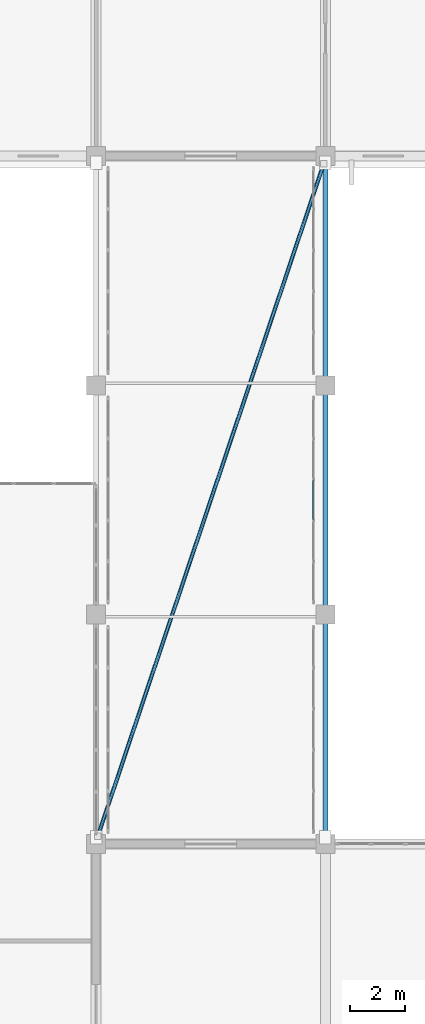
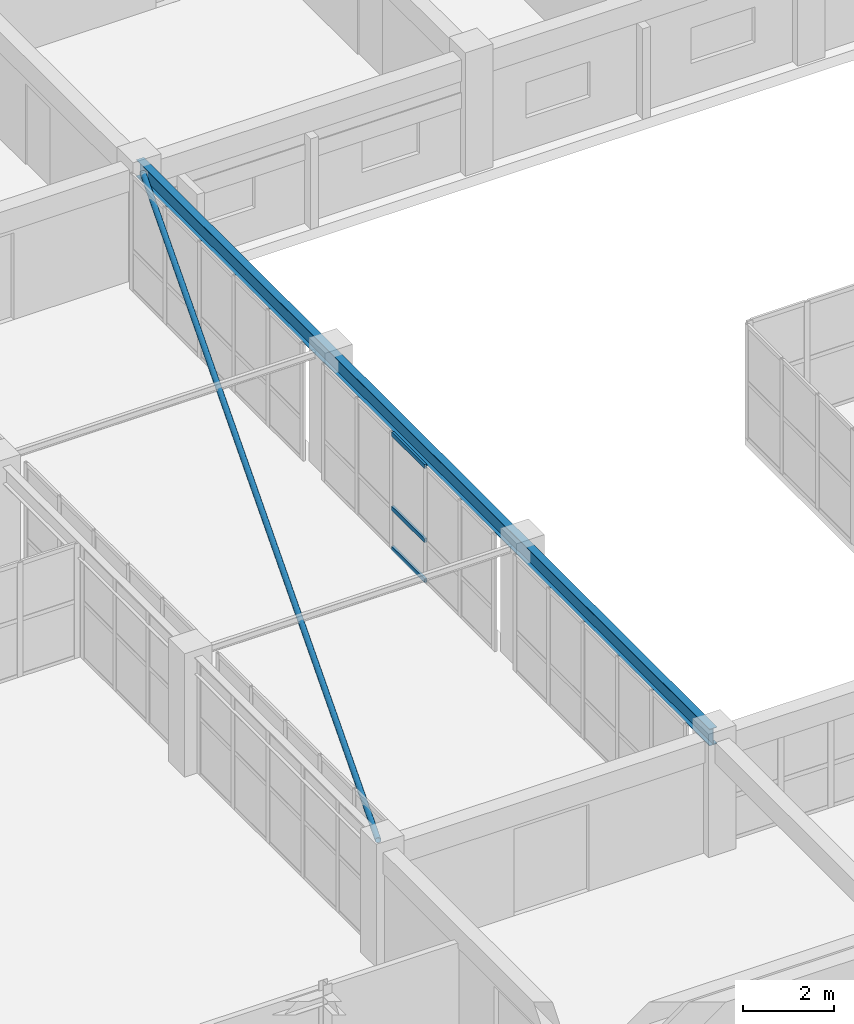
# One storey, part 70 of 148: 4 members, 1 beam, 1 element without a shape of its own.
"""IFC4 building model written with IfcOpenShell, lengths in metres."""

from ifc_helpers import new_model, si_unit, direction, frame, origin, origin_2d, place, context, subcontext, project, spatial, hollow_rectangle, hollow_circle, i_section, extrude, material, layer, layer_set, material_profile, profile_set, type_object, element, aggregate, save


model = new_model("IFC4")

# Units and contexts
model_context = context("Model", 3, precision=1e-05, world=origin(), true_north=direction((0.0, 1.0)))
body_context = subcontext(model_context, "Body", "Model", "MODEL_VIEW")
ifc_project = project(units=[si_unit("LENGTHUNIT", "METRE"), si_unit("AREAUNIT", "SQUARE_METRE"), si_unit("VOLUMEUNIT", "CUBIC_METRE"), si_unit("PLANEANGLEUNIT", "RADIAN"), si_unit("MASSUNIT", "GRAM", prefix="KILO")], contexts=[model_context])

# Site, building, storey
site_placement = place(None, origin())
site = spatial("IfcSite", under=ifc_project, at=site_placement, CompositionType="ELEMENT")
building_placement = place(site_placement, origin())
building = spatial("IfcBuilding", under=site, at=building_placement, Name="Trelvath General Hospital", CompositionType="ELEMENT")
storey_placement = place(building_placement, frame((0.0, 0.0, 12.89990234375)))
storey = spatial("IfcBuildingStorey", under=building, at=storey_placement, Name="L03", CompositionType="ELEMENT", Elevation=12.89990234375)

# Member
ifc_material_1 = material(Name="Steel S355", Category="steel")
ifc_material_profile_1 = material_profile(ifc_material_1, hollow_circle(Radius=0.06982421875, WallThickness=0.00634765625, at=origin_2d()), Name="CHS139.7x6.3")
ifc_profile_set_1 = profile_set([ifc_material_profile_1], Name="Steel S355")
member_type_1 = type_object("IfcMemberType", Name="BridgeBrace CHS139", PredefinedType="BRACE", material=ifc_profile_set_1)
member_1_placement = place(storey_placement, frame((75.659912109375, 67.47998046875, 2.885009765625), z_axis=(0.318534479637, 0.947911275006, 0.0), x_axis=(-0.947911275006, 0.318534479637, 0.0)))
element("IfcMember", 1, at=member_1_placement, inside=storey, type_object=member_type_1, Name="Bridge Lateral Brace BRG-N-C L04", PredefinedType="BRACE", context=body_context, shape_type="SweptSolid", body=[
    extrude(hollow_circle(Radius=0.06982421875, WallThickness=0.00634765625, at=origin_2d()), origin(), (0.0, 0.0, 1.0), 25.994140625),
])

# Beam
ifc_material_2 = material(Name="Steel S355", Category="steel")
ifc_material_profile_2 = material_profile(ifc_material_2, i_section(OverallWidth=0.18994140625, OverallDepth=0.449951171875, WebThickness=0.009521484375, FlangeThickness=0.0146484375, at=origin_2d()), Name="IPE450")
ifc_profile_set_2 = profile_set([ifc_material_profile_2], Name="Steel S355")
beam_type = type_object("IfcBeamType", Name="BridgeGirder IPE450", PredefinedType="BEAM", material=ifc_profile_set_2)
beam_placement = place(storey_placement, frame((84.0, 67.239990234375, 2.885009765625), z_axis=(0.0, 1.0, 0.0), x_axis=(-1.0, 0.0, 0.0)))
element("IfcBeam", 2, at=beam_placement, inside=storey, type_object=beam_type, Name="Bridge Girder BRG-N-C E L04", PredefinedType="BEAM", context=body_context, shape_type="SweptSolid", body=[
    extrude(i_section(OverallWidth=0.18994140625, OverallDepth=0.449951171875, WebThickness=0.009521484375, FlangeThickness=0.0146484375, at=origin_2d()), origin(), (0.0, 0.0, 1.0), 25.1201171875),
])

# Curtain wall, members
ifc_material_3 = material(Name="Anodised aluminium and low-E glass", Category="aluminium")
ifc_layer = layer(ifc_material_3, 0.139892578125)
ifc_layer_set = layer_set([ifc_layer], Name="Anodised aluminium and low-E glass")
curtain_wall_type = type_object("IfcCurtainWallType", Name="CW Bridge 752 311", PredefinedType="USERDEFINED", material=ifc_layer_set)
curtain_wall_placement = place(storey_placement, origin())
curtain_wall = element("IfcCurtainWall", 3, at=curtain_wall_placement, inside=storey, type_object=curtain_wall_type, Name="Glazed Bridge Curtain Wall BRG-N-C E L03", ObjectType="Unitised Glazed Curtain Wall", PredefinedType="USERDEFINED")
ifc_material_4 = material(Name="Anodised aluminium", Category="aluminium")
ifc_material_profile_3 = material_profile(ifc_material_4, hollow_rectangle(XDim=0.06005859375, YDim=0.110107421875, WallThickness=0.00390625, at=origin_2d()), Name="RHS60x110x4")
ifc_profile_set_3 = profile_set([ifc_material_profile_3], Name="Anodised aluminium")
member_type_2 = type_object("IfcMemberType", Name="CurtainTransom 60x110", PredefinedType="USERDEFINED", material=ifc_profile_set_3)
member_2_placement = place(storey_placement, frame((83.56005859375, 80.52197265625, 0.030029296875), z_axis=(0.0, -1.0, 0.0), x_axis=(1.0, 0.0, 0.0)))
member_2 = element("IfcMember", 4, at=member_2_placement, type_object=member_type_2, Name="CW-261 transom 3.1", ObjectType="TRANSOM", PredefinedType="USERDEFINED", context=body_context, shape_type="SweptSolid", body=[
    extrude(hollow_rectangle(XDim=0.06005859375, YDim=0.110107421875, WallThickness=0.00390625, at=origin_2d()), origin(), (0.0, 0.0, 1.0), 1.444091796875),
])
member_3_placement = place(storey_placement, frame((83.56005859375, 80.52197265625, 1.10009765625), z_axis=(0.0, -1.0, 0.0), x_axis=(1.0, 0.0, 0.0)))
member_3 = element("IfcMember", 5, at=member_3_placement, type_object=member_type_2, Name="CW-261 transom 3.2", ObjectType="TRANSOM", PredefinedType="USERDEFINED", context=body_context, shape_type="SweptSolid", body=[
    extrude(hollow_rectangle(XDim=0.06005859375, YDim=0.110107421875, WallThickness=0.00390625, at=origin_2d()), origin(), (0.0, 0.0, 1.0), 1.444091796875),
])
member_4_placement = place(storey_placement, frame((83.56005859375, 80.52197265625, 3.080078125), z_axis=(0.0, -1.0, 0.0), x_axis=(1.0, 0.0, 0.0)))
member_4 = element("IfcMember", 6, at=member_4_placement, type_object=member_type_2, Name="CW-261 transom 3.3", ObjectType="TRANSOM", PredefinedType="USERDEFINED", context=body_context, shape_type="SweptSolid", body=[
    extrude(hollow_rectangle(XDim=0.06005859375, YDim=0.110107421875, WallThickness=0.00390625, at=origin_2d()), origin(), (0.0, 0.0, 1.0), 1.444091796875),
])
aggregate(curtain_wall, [member_2, member_3, member_4])

save(model, "model.ifc")
